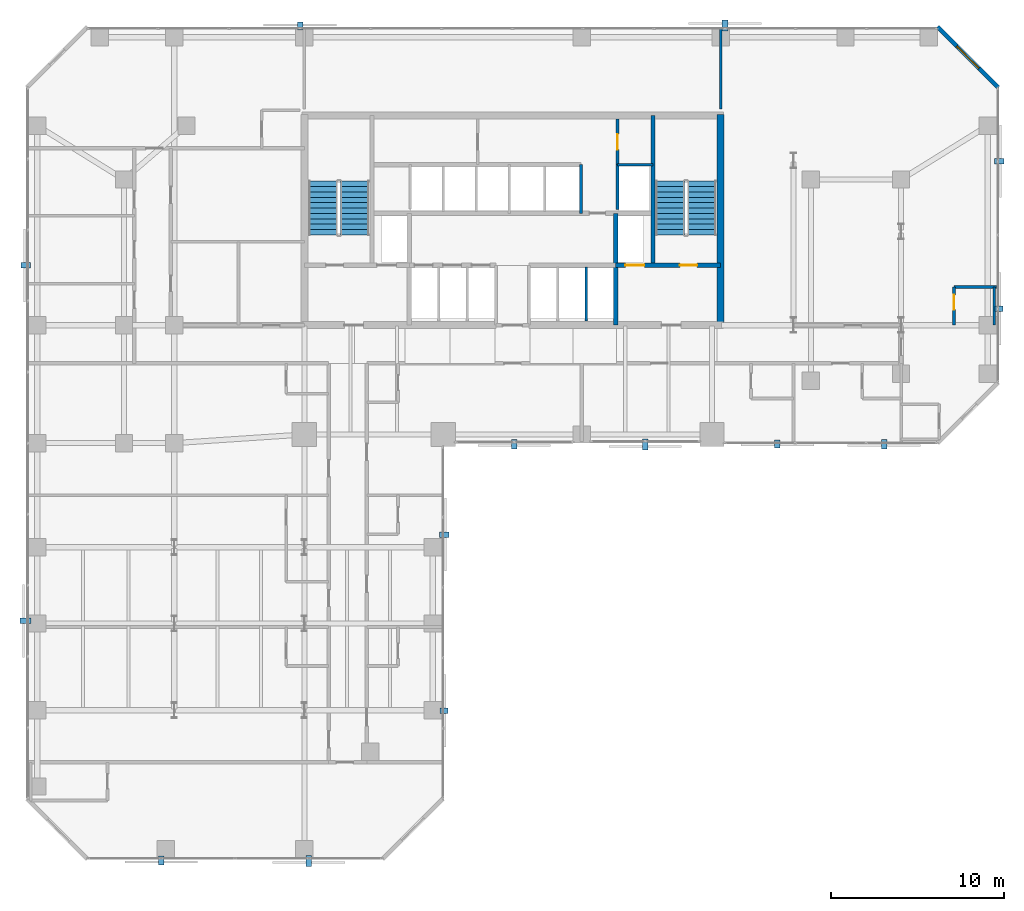
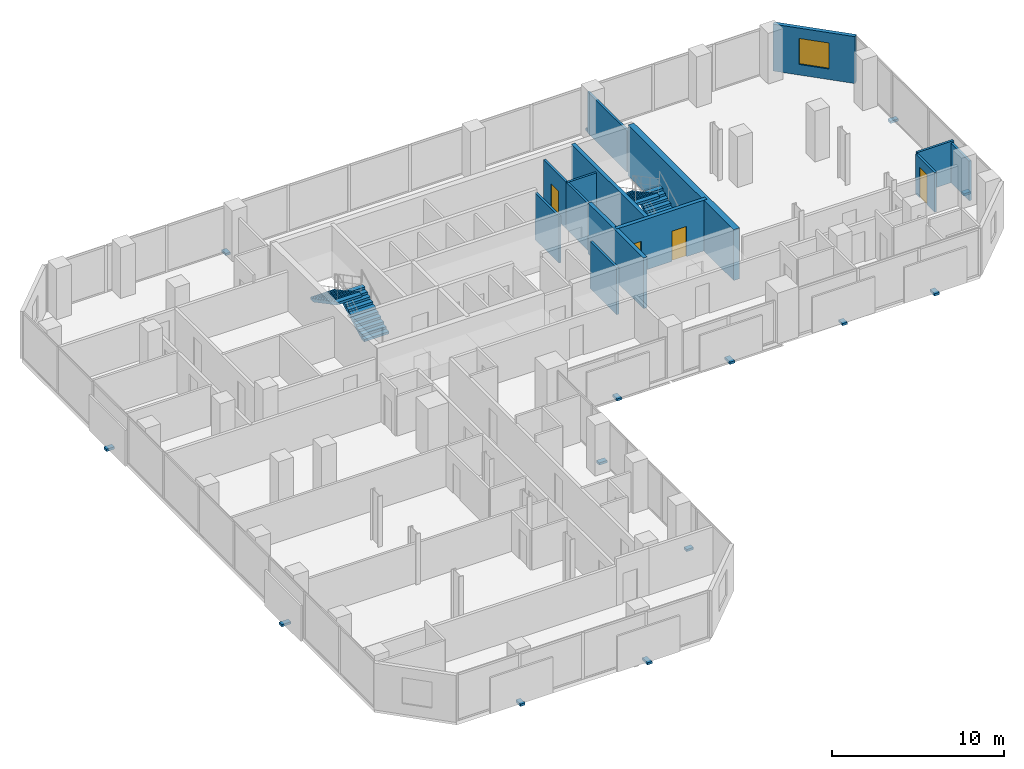
# One storey, part 29 of 31: 14 discrete accessories, 14 walls, 4 doors, 4 stair flights, 1 window, 5 openings, 2 elements without a shape of their own.
"""IFC4 building model written with IfcOpenShell, lengths in metres."""

from ifc_helpers import new_model, si_unit, direction, frame, frame_2d, origin, origin_2d, place, context, subcontext, project, spatial, polyline, rectangle, outline, extrude, material, layer, layer_set, type_object, element, fill, aggregate, save


model = new_model("IFC4")

# Units and contexts
model_context = context("Model", 3, precision=1e-05, world=origin(), true_north=direction((0.0, 1.0)))
body_context = subcontext(model_context, "Body", "Model", "MODEL_VIEW")
ifc_project = project(units=[si_unit("LENGTHUNIT", "METRE"), si_unit("AREAUNIT", "SQUARE_METRE"), si_unit("VOLUMEUNIT", "CUBIC_METRE"), si_unit("PLANEANGLEUNIT", "RADIAN"), si_unit("MASSUNIT", "GRAM", prefix="KILO")], contexts=[model_context])

# Site, building, storey
site_placement = place(None, origin())
site = spatial("IfcSite", under=ifc_project, at=site_placement, CompositionType="ELEMENT")
building_placement = place(site_placement, origin())
building = spatial("IfcBuilding", under=site, at=building_placement, Name="Catumbela Crestline Tower", CompositionType="ELEMENT")
storey_placement = place(building_placement, frame((0.0, 0.0, 36.6)))
storey = spatial("IfcBuildingStorey", under=building, at=storey_placement, Name="L08", CompositionType="ELEMENT", Elevation=36.6)

# Walls
ifc_material_1 = material(Name="Concrete C50/60", Category="concrete")
ifc_layer_1 = layer(ifc_material_1, 0.25, Name="Concrete C50/60")
ifc_layer_set_1 = layer_set([ifc_layer_1], Name="Concrete C50/60")
wall_type_1 = type_object("IfcWallType", Name="CW-250D", PredefinedType="SHEAR", material=ifc_layer_set_1)
wall_1_placement = place(storey_placement, frame((36.1, 34.25, 0.0), z_axis=(0.0, 0.0, 1.0), x_axis=(0.0, 1.0, 0.0)))
element("IfcWall", 1, at=wall_1_placement, inside=storey, type_object=wall_type_1, Name="L08 Structural Core Shear Wall EWEB", PredefinedType="SHEAR", context=body_context, shape_type="SweptSolid", body=[
    extrude(rectangle(XDim=8.65, YDim=0.25, at=frame_2d((4.325, 0.0))), origin(), (0.0, 0.0, 1.0), 3.6),
])
wall_2_placement = place(storey_placement, frame((33.95, 30.8, 0.0), z_axis=(0.0, 0.0, 1.0), x_axis=(0.0, 1.0, 0.0)))
element("IfcWall", 2, at=wall_2_placement, inside=storey, type_object=wall_type_1, Name="L08 Structural Core Shear Wall FFE", PredefinedType="SHEAR", context=body_context, shape_type="SweptSolid", body=[
    extrude(rectangle(XDim=6.45, YDim=0.25, at=frame_2d((3.225, 0.0))), origin(), (0.0, 0.0, 1.0), 3.6),
])

# Wall, openings, doors
wall_3_placement = place(storey_placement, frame((33.95, 34.25, 0.0), z_axis=(0.0, 0.0, 1.0), x_axis=(1.0, 0.0, 0.0)))
wall_3 = element("IfcWall", 3, at=wall_3_placement, inside=storey, type_object=wall_type_1, Name="L08 Structural Core Shear Wall ST2S", PredefinedType="SHEAR", context=body_context, shape_type="SweptSolid", body=[
    extrude(rectangle(XDim=6.05, YDim=0.25, at=frame_2d((3.025, 0.0))), origin(), (0.0, 0.0, 1.0), 3.6),
])
opening_1_placement = place(wall_3_placement, frame((3.7, 0.0, 0.0)))
opening_1 = element("IfcOpeningElement", 4, at=opening_1_placement, cuts=wall_3, Name="Opening DF9-100", PredefinedType="OPENING", context=body_context, shape_type="SweptSolid", body=[
    extrude(rectangle(XDim=1.0, YDim=2.15, at=frame_2d((0.5, 1.075))), frame((0.0, 0.135, 0.0), z_axis=(0.0, -1.0, 0.0), x_axis=(1.0, 0.0, 0.0)), (0.0, 0.0, 1.0), 0.27),
])
opening_2_placement = place(wall_3_placement, frame((0.55, 0.0, 0.0)))
opening_2 = element("IfcOpeningElement", 5, at=opening_2_placement, cuts=wall_3, Name="Opening LD-110", PredefinedType="OPENING", context=body_context, shape_type="SweptSolid", body=[
    extrude(rectangle(XDim=1.1, YDim=2.15, at=frame_2d((0.55, 1.075))), frame((0.0, 0.135, 0.0), z_axis=(0.0, -1.0, 0.0), x_axis=(1.0, 0.0, 0.0)), (0.0, 0.0, 1.0), 0.27),
])
ifc_material_2 = material(Name="Stainless steel EN 1.4401", Category="steel")
door_type_1 = type_object("IfcDoorType", Name="DF9-100", OperationType="NOTDEFINED", PredefinedType="DOOR", material=ifc_material_2)
door_1_placement = place(opening_1_placement, origin())
door_1 = element("IfcDoor", 6, at=door_1_placement, inside=storey, type_object=door_type_1, Name="L08 Interior Door DR-L08-ST02", OperationType="SINGLE_SWING_RIGHT", OverallHeight=2.15, OverallWidth=1.0, PredefinedType="DOOR", context=body_context, shape_type="SweptSolid", body=[
    extrude(rectangle(XDim=1.0, YDim=2.15, at=frame_2d((0.5, 1.075))), frame((0.0, 0.025, 0.0), z_axis=(0.0, -1.0, 0.0), x_axis=(1.0, 0.0, 0.0)), (0.0, 0.0, 1.0), 0.05),
])
fill(opening_1, door_1)
door_type_2 = type_object("IfcDoorType", Name="LD-110", OperationType="NOTDEFINED", PredefinedType="DOOR", material=ifc_material_2)
door_2_placement = place(opening_2_placement, origin())
door_2 = element("IfcDoor", 7, at=door_2_placement, inside=storey, type_object=door_type_2, Name="L08 Lift Landing Sliding Door FL-02", OperationType="DOUBLE_DOOR_SLIDING", OverallHeight=2.15, OverallWidth=1.1, PredefinedType="DOOR", context=body_context, shape_type="SweptSolid", body=[
    extrude(rectangle(XDim=1.1, YDim=2.15, at=frame_2d((0.55, 1.075))), frame((0.0, 0.025, 0.0), z_axis=(0.0, -1.0, 0.0), x_axis=(1.0, 0.0, 0.0)), (0.0, 0.0, 1.0), 0.05),
])
fill(opening_2, door_2)

# Wall
ifc_material_3 = material(Name="Concrete C60/75", Category="concrete")
ifc_layer_2 = layer(ifc_material_3, 0.4, Name="Concrete C60/75")
ifc_layer_set_2 = layer_set([ifc_layer_2], Name="Concrete C60/75")
wall_type_2 = type_object("IfcWallType", Name="CW-400A", PredefinedType="SHEAR", material=ifc_layer_set_2)
wall_4_placement = place(storey_placement, frame((40.0, 30.65, 0.0), z_axis=(0.0, 0.0, 1.0), x_axis=(0.0, 1.0, 0.0)))
element("IfcWall", 8, at=wall_4_placement, inside=storey, type_object=wall_type_2, Name="L08 Structural Core Shear Wall E", PredefinedType="SHEAR", context=body_context, shape_type="SweptSolid", body=[
    extrude(rectangle(XDim=12.3, YDim=0.4, at=frame_2d((6.15, 0.0))), origin(), (0.0, 0.0, 1.0), 3.6),
])

# Wall, opening, window
ifc_material_4 = material(Name="Angolan grey-ochre granite", Category="masonry")
ifc_layer_3 = layer(ifc_material_4, 0.25, Name="Angolan grey-ochre granite")
ifc_layer_set_3 = layer_set([ifc_layer_3], Name="Angolan grey-ochre granite")
wall_type_3 = type_object("IfcWallType", Name="WE-250", PredefinedType="STANDARD", material=ifc_layer_set_3)
wall_5_placement = place(storey_placement, frame((56.0, 44.5, 0.0), z_axis=(0.0, 0.0, 1.0), x_axis=(-0.707106781187, 0.707106781187, 0.0)))
wall_5 = element("IfcWall", 9, at=wall_5_placement, inside=storey, type_object=wall_type_3, Name="L08 Granite Punched Window Wall 6-1", PredefinedType="STANDARD", context=body_context, shape_type="SweptSolid", body=[
    extrude(rectangle(XDim=4.9497, YDim=0.25, at=frame_2d((2.4748, 0.0))), origin(), (0.0, 0.0, 1.0), 3.33),
])
opening_3_placement = place(wall_5_placement, frame((1.5749, 0.0, 0.75)))
opening_3 = element("IfcOpeningElement", 10, at=opening_3_placement, cuts=wall_5, Name="Opening WN-01", PredefinedType="OPENING", context=body_context, shape_type="SweptSolid", body=[
    extrude(rectangle(XDim=1.8, YDim=1.85, at=frame_2d((0.9, 0.925))), frame((0.0, 0.135, 0.0), z_axis=(0.0, -1.0, 0.0), x_axis=(1.0, 0.0, 0.0)), (0.0, 0.0, 1.0), 0.27),
])
ifc_material_5 = material(Name="Low-E laminated solar-control double glazing", Category="glass")
window_type = type_object("IfcWindowType", Name="WF-1800", PartitioningType="SINGLE_PANEL", PredefinedType="WINDOW", material=ifc_material_5)
window_placement = place(opening_3_placement, origin())
window = element("IfcWindow", 11, at=window_placement, inside=storey, type_object=window_type, Name="L08 Facade Vision Window 65", OverallHeight=1.85, OverallWidth=1.8, PartitioningType="SINGLE_PANEL", PredefinedType="WINDOW", context=body_context, shape_type="SweptSolid", body=[
    extrude(rectangle(XDim=1.8, YDim=1.85, at=frame_2d((0.9, 0.925))), frame((0.0, 0.03, 0.0), z_axis=(0.0, -1.0, 0.0), x_axis=(1.0, 0.0, 0.0)), (0.0, 0.0, 1.0), 0.06),
])
fill(opening_3, window)

# Wall
ifc_material_6 = material(Name="Acoustic gypsum and mineral-wool partition")
ifc_layer_4 = layer(ifc_material_6, 0.15, Name="Acoustic gypsum and mineral-wool partition")
ifc_layer_set_4 = layer_set([ifc_layer_4], Name="Acoustic gypsum and mineral-wool partition")
wall_type_4 = type_object("IfcWallType", Name="WP-150", PredefinedType="PARTITIONING", material=ifc_layer_set_4)
wall_6_placement = place(storey_placement, frame((34.05, 40.05, 0.0), z_axis=(0.0, 0.0, 1.0), x_axis=(1.0, 0.0, 0.0)))
element("IfcWall", 12, at=wall_6_placement, inside=storey, type_object=wall_type_4, Name="L08 Interior Partition PW-L08-CR-ES", PredefinedType="PARTITIONING", context=body_context, shape_type="SweptSolid", body=[
    extrude(rectangle(XDim=2.05, YDim=0.15, at=frame_2d((1.025, 0.0))), origin(), (0.0, 0.0, 1.0), 3.33),
])

# Wall, opening, door
wall_7_placement = place(storey_placement, frame((34.05, 40.05, 0.0), z_axis=(0.0, 0.0, 1.0), x_axis=(0.0, 1.0, 0.0)))
wall_7 = element("IfcWall", 13, at=wall_7_placement, inside=storey, type_object=wall_type_4, Name="L08 Interior Partition PW-L08-CR-EW", PredefinedType="PARTITIONING", context=body_context, shape_type="SweptSolid", body=[
    extrude(rectangle(XDim=2.63, YDim=0.15, at=frame_2d((1.315, 0.0))), origin(), (0.0, 0.0, 1.0), 3.33),
])
opening_4_placement = place(wall_7_placement, frame((0.865, 0.0, 0.0)))
opening_4 = element("IfcOpeningElement", 14, at=opening_4_placement, cuts=wall_7, Name="Opening DF9-090", PredefinedType="OPENING", context=body_context, shape_type="SweptSolid", body=[
    extrude(rectangle(XDim=0.9, YDim=2.15, at=frame_2d((0.45, 1.075))), frame((0.0, 0.085, 0.0), z_axis=(0.0, -1.0, 0.0), x_axis=(1.0, 0.0, 0.0)), (0.0, 0.0, 1.0), 0.17),
])
door_type_3 = type_object("IfcDoorType", Name="DF9-090", OperationType="NOTDEFINED", PredefinedType="DOOR", material=ifc_material_2)
door_3_placement = place(opening_4_placement, origin())
door_3 = element("IfcDoor", 15, at=door_3_placement, inside=storey, type_object=door_type_3, Name="L08 Interior Door DR-L08-CREAST", OperationType="SINGLE_SWING_RIGHT", OverallHeight=2.15, OverallWidth=0.9, PredefinedType="DOOR", context=body_context, shape_type="SweptSolid", body=[
    extrude(rectangle(XDim=0.9, YDim=2.15, at=frame_2d((0.45, 1.075))), frame((0.0, 0.025, 0.0), z_axis=(0.0, -1.0, 0.0), x_axis=(1.0, 0.0, 0.0)), (0.0, 0.0, 1.0), 0.05),
])
fill(opening_4, door_3)

# Walls
wall_8_placement = place(storey_placement, frame((40.0, 43.27, 0.0), z_axis=(0.0, 0.0, 1.0), x_axis=(0.0, 1.0, 0.0)))
element("IfcWall", 16, at=wall_8_placement, inside=storey, type_object=wall_type_4, Name="L08 Interior Partition PW-L08-NCF-E", PredefinedType="PARTITIONING", context=body_context, shape_type="SweptSolid", body=[
    extrude(rectangle(XDim=4.63, YDim=0.15, at=frame_2d((2.315, 0.0))), origin(), (0.0, 0.0, 1.0), 2.93),
])
wall_9_placement = place(storey_placement, frame((53.45, 33.0, 0.0), z_axis=(0.0, 0.0, 1.0), x_axis=(1.0, 0.0, 0.0)))
element("IfcWall", 17, at=wall_9_placement, inside=storey, type_object=wall_type_4, Name="L08 Interior Partition PW-L08-NES-BHW", PredefinedType="PARTITIONING", context=body_context, shape_type="SweptSolid", body=[
    extrude(rectangle(XDim=2.45, YDim=0.15, at=frame_2d((1.225, 0.0))), origin(), (0.0, 0.0, 1.0), 2.93),
])

# Wall, opening, door
wall_10_placement = place(storey_placement, frame((53.45, 30.8, 0.0), z_axis=(0.0, 0.0, 1.0), x_axis=(0.0, 1.0, 0.0)))
wall_10 = element("IfcWall", 18, at=wall_10_placement, inside=storey, type_object=wall_type_4, Name="L08 Interior Partition PW-L08-NES-BWW", PredefinedType="PARTITIONING", context=body_context, shape_type="SweptSolid", body=[
    extrude(rectangle(XDim=2.2, YDim=0.15, at=frame_2d((1.1, 0.0))), origin(), (0.0, 0.0, 1.0), 2.82),
])
opening_5_placement = place(wall_10_placement, frame((0.8925, 0.0, 0.0)))
opening_5 = element("IfcOpeningElement", 19, at=opening_5_placement, cuts=wall_10, Name="Opening DI-085", PredefinedType="OPENING", context=body_context, shape_type="SweptSolid", body=[
    extrude(rectangle(XDim=0.85, YDim=2.15, at=frame_2d((0.425, 1.075))), frame((0.0, 0.085, 0.0), z_axis=(0.0, -1.0, 0.0), x_axis=(1.0, 0.0, 0.0)), (0.0, 0.0, 1.0), 0.17),
])
ifc_material_7 = material(Name="Aluminium alloy AW-6060-T66", Category="aluminium")
door_type_4 = type_object("IfcDoorType", Name="DI-085", OperationType="NOTDEFINED", PredefinedType="DOOR", material=ifc_material_7)
door_4_placement = place(opening_5_placement, origin())
door_4 = element("IfcDoor", 20, at=door_4_placement, inside=storey, type_object=door_type_4, Name="L08 Interior Door DR-L08-NES-BTH", OperationType="SINGLE_SWING_RIGHT", OverallHeight=2.15, OverallWidth=0.85, PredefinedType="DOOR", context=body_context, shape_type="SweptSolid", body=[
    extrude(rectangle(XDim=0.85, YDim=2.15, at=frame_2d((0.425, 1.075))), frame((0.0, 0.025, 0.0), z_axis=(0.0, -1.0, 0.0), x_axis=(1.0, 0.0, 0.0)), (0.0, 0.0, 1.0), 0.05),
])
fill(opening_5, door_4)

# Walls
wall_11_placement = place(storey_placement, frame((55.78, 33.0, 0.0), z_axis=(0.0, 0.0, 1.0), x_axis=(0.0, -1.0, 0.0)))
element("IfcWall", 21, at=wall_11_placement, inside=storey, type_object=wall_type_4, Name="L08 Interior Partition PW-L08-NES-BCL-2", PredefinedType="PARTITIONING", context=body_context, shape_type="SweptSolid", body=[
    extrude(rectangle(XDim=2.2, YDim=0.15, at=frame_2d((1.1, 0.0))), origin(), (0.0, 0.0, 1.0), 2.82),
])
ifc_layer_5 = layer(ifc_material_6, 0.15, Name="Acoustic gypsum and mineral-wool partition")
ifc_layer_set_5 = layer_set([ifc_layer_5], Name="Acoustic gypsum and mineral-wool partition")
wall_type_5 = type_object("IfcWallType", Name="WS-150", PredefinedType="PLUMBINGWALL", material=ifc_layer_set_5)
wall_12_placement = place(storey_placement, frame((32.25, 31.05, 0.0), z_axis=(0.0, 0.0, 1.0), x_axis=(0.0, 1.0, 0.0)))
element("IfcWall", 22, at=wall_12_placement, inside=storey, type_object=wall_type_5, Name="L08 Interior Partition PW-L08-SHM2", PredefinedType="PLUMBINGWALL", context=body_context, shape_type="SweptSolid", body=[
    extrude(rectangle(XDim=3.1, YDim=0.15, at=frame_2d((1.55, 0.0))), origin(), (0.0, 0.0, 1.0), 3.33),
])
wall_13_placement = place(storey_placement, frame((31.95, 37.25, 0.0), z_axis=(0.0, 0.0, 1.0), x_axis=(0.0, 1.0, 0.0)))
element("IfcWall", 23, at=wall_13_placement, inside=storey, type_object=wall_type_5, Name="L08 Interior Partition PW-L08-SHEX2E", PredefinedType="PLUMBINGWALL", context=body_context, shape_type="SweptSolid", body=[
    extrude(rectangle(XDim=2.8, YDim=0.15, at=frame_2d((1.4, 0.0))), origin(), (0.0, 0.0, 1.0), 3.33),
])
wall_14_placement = place(storey_placement, frame((34.05, 37.4734, 0.0), z_axis=(0.0, 0.0, 1.0), x_axis=(0.0, 1.0, 0.0)))
element("IfcWall", 24, at=wall_14_placement, inside=storey, type_object=wall_type_5, Name="L08 Interior Partition PW-L08-RISW", PredefinedType="PLUMBINGWALL", context=body_context, shape_type="SweptSolid", body=[
    extrude(rectangle(XDim=2.5766, YDim=0.15, at=frame_2d((1.2883, 0.0))), origin(), (0.0, 0.0, 1.0), 3.33),
])

# Stair, stair flights
ifc_material_8 = material(Name="Concrete C45/55", Category="concrete")
stair_type = type_object("IfcStairType", Name="ST-DLG", PredefinedType="HALF_TURN_STAIR", material=ifc_material_8)
stair_1_placement = place(storey_placement, origin())
stair_1 = element("IfcStair", 25, at=stair_1_placement, inside=storey, type_object=stair_type, Name="L08 West Core Pressurised Exit Stair ST-01", PredefinedType="HALF_TURN_STAIR")
stair_flight_type = type_object("IfcStairFlightType", Name="SF-1636", PredefinedType="STRAIGHT", material=ifc_material_8)
stair_flight_1_placement = place(storey_placement, frame((18.92, 36.0, 0.0), z_axis=(0.0, 0.0, 1.0), x_axis=(0.0, 1.0, 0.0)))
stair_flight_1 = element("IfcStairFlight", 26, at=stair_flight_1_placement, type_object=stair_flight_type, Name="ST-01 flight 1", NumberOfRisers=11, NumberOfTreads=10, PredefinedType="STRAIGHT", RiserHeight=0.163636364, TreadLength=0.31, context=body_context, shape_type="SweptSolid", body=[
    extrude(outline(polyline([(0.0, 0.0), (0.0, 0.1636), (0.31, 0.1636), (0.31, 0.3273), (0.62, 0.3273), (0.62, 0.4909), (0.93, 0.4909), (0.93, 0.6545), (1.24, 0.6545), (1.24, 0.8182), (1.55, 0.8182), (1.55, 0.9818), (1.86, 0.9818), (1.86, 1.1455), (2.17, 1.1455), (2.17, 1.3091), (2.48, 1.3091), (2.48, 1.4727), (2.79, 1.4727), (2.79, 1.6364), (3.1, 1.6364), (3.1, 1.8), (3.1, 1.4554), (0.3427, 0.0), (0.0, 0.0)])), frame((0.0, 0.83, 0.0), z_axis=(0.0, -1.0, 0.0), x_axis=(1.0, 0.0, 0.0)), (0.0, 0.0, 1.0), 1.66),
])
stair_flight_2_placement = place(storey_placement, frame((17.08, 39.1, 1.8), z_axis=(0.0, 0.0, 1.0), x_axis=(0.0, -1.0, 0.0)))
stair_flight_2 = element("IfcStairFlight", 27, at=stair_flight_2_placement, type_object=stair_flight_type, Name="ST-01 flight 2", NumberOfRisers=11, NumberOfTreads=10, PredefinedType="STRAIGHT", RiserHeight=0.163636364, TreadLength=0.31, context=body_context, shape_type="SweptSolid", body=[
    extrude(outline(polyline([(0.0, 0.0), (0.0, 0.1636), (0.31, 0.1636), (0.31, 0.3273), (0.62, 0.3273), (0.62, 0.4909), (0.93, 0.4909), (0.93, 0.6545), (1.24, 0.6545), (1.24, 0.8182), (1.55, 0.8182), (1.55, 0.9818), (1.86, 0.9818), (1.86, 1.1455), (2.17, 1.1455), (2.17, 1.3091), (2.48, 1.3091), (2.48, 1.4727), (2.79, 1.4727), (2.79, 1.6364), (3.1, 1.6364), (3.1, 1.8), (3.1, 1.4554), (0.3427, 0.0), (0.0, 0.0)])), frame((0.0, 0.83, 0.0), z_axis=(0.0, -1.0, 0.0), x_axis=(1.0, 0.0, 0.0)), (0.0, 0.0, 1.0), 1.66),
])
aggregate(stair_1, [stair_flight_1, stair_flight_2])

stair_2_placement = place(storey_placement, origin())
stair_2 = element("IfcStair", 28, at=stair_2_placement, inside=storey, type_object=stair_type, Name="L08 East Core Pressurised Exit Stair ST-02", PredefinedType="HALF_TURN_STAIR")
stair_flight_3_placement = place(storey_placement, frame((38.92, 36.0, 0.0), z_axis=(0.0, 0.0, 1.0), x_axis=(0.0, 1.0, 0.0)))
stair_flight_3 = element("IfcStairFlight", 29, at=stair_flight_3_placement, type_object=stair_flight_type, Name="ST-02 flight 1", NumberOfRisers=11, NumberOfTreads=10, PredefinedType="STRAIGHT", RiserHeight=0.163636364, TreadLength=0.31, context=body_context, shape_type="SweptSolid", body=[
    extrude(outline(polyline([(0.0, 0.0), (0.0, 0.1636), (0.31, 0.1636), (0.31, 0.3273), (0.62, 0.3273), (0.62, 0.4909), (0.93, 0.4909), (0.93, 0.6545), (1.24, 0.6545), (1.24, 0.8182), (1.55, 0.8182), (1.55, 0.9818), (1.86, 0.9818), (1.86, 1.1455), (2.17, 1.1455), (2.17, 1.3091), (2.48, 1.3091), (2.48, 1.4727), (2.79, 1.4727), (2.79, 1.6364), (3.1, 1.6364), (3.1, 1.8), (3.1, 1.4554), (0.3427, 0.0), (0.0, 0.0)])), frame((0.0, 0.83, 0.0), z_axis=(0.0, -1.0, 0.0), x_axis=(1.0, 0.0, 0.0)), (0.0, 0.0, 1.0), 1.66),
])
stair_flight_4_placement = place(storey_placement, frame((37.08, 39.1, 1.8), z_axis=(0.0, 0.0, 1.0), x_axis=(0.0, -1.0, 0.0)))
stair_flight_4 = element("IfcStairFlight", 30, at=stair_flight_4_placement, type_object=stair_flight_type, Name="ST-02 flight 2", NumberOfRisers=11, NumberOfTreads=10, PredefinedType="STRAIGHT", RiserHeight=0.163636364, TreadLength=0.31, context=body_context, shape_type="SweptSolid", body=[
    extrude(outline(polyline([(0.0, 0.0), (0.0, 0.1636), (0.31, 0.1636), (0.31, 0.3273), (0.62, 0.3273), (0.62, 0.4909), (0.93, 0.4909), (0.93, 0.6545), (1.24, 0.6545), (1.24, 0.8182), (1.55, 0.8182), (1.55, 0.9818), (1.86, 0.9818), (1.86, 1.1455), (2.17, 1.1455), (2.17, 1.3091), (2.48, 1.3091), (2.48, 1.4727), (2.79, 1.4727), (2.79, 1.6364), (3.1, 1.6364), (3.1, 1.8), (3.1, 1.4554), (0.3427, 0.0), (0.0, 0.0)])), frame((0.0, 0.83, 0.0), z_axis=(0.0, -1.0, 0.0), x_axis=(1.0, 0.0, 0.0)), (0.0, 0.0, 1.0), 1.66),
])
aggregate(stair_2, [stair_flight_3, stair_flight_4])

# Discrete accessories
discrete_accessory_type = type_object("IfcDiscreteAccessoryType", Name="BK-SS1", PredefinedType="BRACKET", material=ifc_material_2)
discrete_accessory_1_placement = place(storey_placement, frame((7.75, -0.065, -0.18), z_axis=(0.0, 0.0, 1.0), x_axis=(1.0, 0.0, 0.0)))
element("IfcDiscreteAccessory", 31, at=discrete_accessory_1_placement, inside=storey, type_object=discrete_accessory_type, Name="L08 Solar Screen Stainless Bracket 43", PredefinedType="BRACKET", context=body_context, shape_type="SweptSolid", body=[
    extrude(rectangle(XDim=0.32, YDim=0.54, at=origin_2d()), origin(), (0.0, 0.0, 1.0), 0.16),
])
discrete_accessory_2_placement = place(storey_placement, frame((16.25, -0.085, -0.18), z_axis=(0.0, 0.0, 1.0), x_axis=(1.0, 0.0, 0.0)))
element("IfcDiscreteAccessory", 32, at=discrete_accessory_2_placement, inside=storey, type_object=discrete_accessory_type, Name="L08 Solar Screen Stainless Bracket 44", PredefinedType="BRACKET", context=body_context, shape_type="SweptSolid", body=[
    extrude(rectangle(XDim=0.32, YDim=0.62, at=origin_2d()), origin(), (0.0, 0.0, 1.0), 0.16),
])
discrete_accessory_3_placement = place(storey_placement, frame((24.045, 8.575, -0.18), z_axis=(0.0, 0.0, 1.0), x_axis=(0.0, 1.0, 0.0)))
element("IfcDiscreteAccessory", 33, at=discrete_accessory_3_placement, inside=storey, type_object=discrete_accessory_type, Name="L08 Solar Screen Stainless Bracket 45", PredefinedType="BRACKET", context=body_context, shape_type="SweptSolid", body=[
    extrude(rectangle(XDim=0.32, YDim=0.46, at=origin_2d()), origin(), (0.0, 0.0, 1.0), 0.16),
])
for number, where, z_axis, x_axis, name in (
    (34, (24.065, 18.725, -0.18), (0.0, 0.0, 1.0), (0.0, 1.0, 0.0), "L08 Solar Screen Stainless Bracket 46"),
    (35, (28.1, 23.935, -0.18), (0.0, 0.0, 1.0), (1.0, 0.0, 0.0), "L08 Solar Screen Stainless Bracket 47"),
):
    element("IfcDiscreteAccessory", number, at=place(storey_placement, frame(where, z_axis=z_axis, x_axis=x_axis)), inside=storey, type_object=discrete_accessory_type, Name=name, PredefinedType="BRACKET", context=body_context, shape_type="SweptSolid", body=[
        extrude(rectangle(XDim=0.32, YDim=0.54, at=origin_2d()), origin(), (0.0, 0.0, 1.0), 0.16),
    ])
discrete_accessory_4_placement = place(storey_placement, frame((35.65, 23.915, -0.18), z_axis=(0.0, 0.0, 1.0), x_axis=(1.0, 0.0, 0.0)))
element("IfcDiscreteAccessory", 36, at=discrete_accessory_4_placement, inside=storey, type_object=discrete_accessory_type, Name="L08 Solar Screen Stainless Bracket 48", PredefinedType="BRACKET", context=body_context, shape_type="SweptSolid", body=[
    extrude(rectangle(XDim=0.32, YDim=0.62, at=origin_2d()), origin(), (0.0, 0.0, 1.0), 0.16),
])
discrete_accessory_5_placement = place(storey_placement, frame((43.275, 23.955, -0.18), z_axis=(0.0, 0.0, 1.0), x_axis=(1.0, 0.0, 0.0)))
element("IfcDiscreteAccessory", 37, at=discrete_accessory_5_placement, inside=storey, type_object=discrete_accessory_type, Name="L08 Solar Screen Stainless Bracket 49", PredefinedType="BRACKET", context=body_context, shape_type="SweptSolid", body=[
    extrude(rectangle(XDim=0.32, YDim=0.46, at=origin_2d()), origin(), (0.0, 0.0, 1.0), 0.16),
])
discrete_accessory_6_placement = place(storey_placement, frame((49.425, 23.935, -0.18), z_axis=(0.0, 0.0, 1.0), x_axis=(1.0, 0.0, 0.0)))
element("IfcDiscreteAccessory", 38, at=discrete_accessory_6_placement, inside=storey, type_object=discrete_accessory_type, Name="L08 Solar Screen Stainless Bracket 50", PredefinedType="BRACKET", context=body_context, shape_type="SweptSolid", body=[
    extrude(rectangle(XDim=0.32, YDim=0.54, at=origin_2d()), origin(), (0.0, 0.0, 1.0), 0.16),
])
discrete_accessory_7_placement = place(storey_placement, frame((56.045, 31.75, -0.18), z_axis=(0.0, 0.0, 1.0), x_axis=(0.0, 1.0, 0.0)))
element("IfcDiscreteAccessory", 39, at=discrete_accessory_7_placement, inside=storey, type_object=discrete_accessory_type, Name="L08 Solar Screen Stainless Bracket 51", PredefinedType="BRACKET", context=body_context, shape_type="SweptSolid", body=[
    extrude(rectangle(XDim=0.32, YDim=0.46, at=origin_2d()), origin(), (0.0, 0.0, 1.0), 0.16),
])
discrete_accessory_8_placement = place(storey_placement, frame((56.065, 40.25, -0.18), z_axis=(0.0, 0.0, 1.0), x_axis=(0.0, 1.0, 0.0)))
element("IfcDiscreteAccessory", 40, at=discrete_accessory_8_placement, inside=storey, type_object=discrete_accessory_type, Name="L08 Solar Screen Stainless Bracket 52", PredefinedType="BRACKET", context=body_context, shape_type="SweptSolid", body=[
    extrude(rectangle(XDim=0.32, YDim=0.54, at=origin_2d()), origin(), (0.0, 0.0, 1.0), 0.16),
])
discrete_accessory_9_placement = place(storey_placement, frame((40.25, 48.085, -0.18), z_axis=(0.0, 0.0, 1.0), x_axis=(-1.0, 0.0, 0.0)))
element("IfcDiscreteAccessory", 41, at=discrete_accessory_9_placement, inside=storey, type_object=discrete_accessory_type, Name="L08 Solar Screen Stainless Bracket 53", PredefinedType="BRACKET", context=body_context, shape_type="SweptSolid", body=[
    extrude(rectangle(XDim=0.32, YDim=0.62, at=origin_2d()), origin(), (0.0, 0.0, 1.0), 0.16),
])
discrete_accessory_10_placement = place(storey_placement, frame((15.75, 48.045, -0.18), z_axis=(0.0, 0.0, 1.0), x_axis=(-1.0, 0.0, 0.0)))
element("IfcDiscreteAccessory", 42, at=discrete_accessory_10_placement, inside=storey, type_object=discrete_accessory_type, Name="L08 Solar Screen Stainless Bracket 54", PredefinedType="BRACKET", context=body_context, shape_type="SweptSolid", body=[
    extrude(rectangle(XDim=0.32, YDim=0.46, at=origin_2d()), origin(), (0.0, 0.0, 1.0), 0.16),
])
discrete_accessory_11_placement = place(storey_placement, frame((-0.065, 34.25, -0.18), z_axis=(0.0, 0.0, 1.0), x_axis=(0.0, -1.0, 0.0)))
element("IfcDiscreteAccessory", 43, at=discrete_accessory_11_placement, inside=storey, type_object=discrete_accessory_type, Name="L08 Solar Screen Stainless Bracket 55", PredefinedType="BRACKET", context=body_context, shape_type="SweptSolid", body=[
    extrude(rectangle(XDim=0.32, YDim=0.54, at=origin_2d()), origin(), (0.0, 0.0, 1.0), 0.16),
])
discrete_accessory_12_placement = place(storey_placement, frame((-0.085, 13.75, -0.18), z_axis=(0.0, 0.0, 1.0), x_axis=(0.0, -1.0, 0.0)))
element("IfcDiscreteAccessory", 44, at=discrete_accessory_12_placement, inside=storey, type_object=discrete_accessory_type, Name="L08 Solar Screen Stainless Bracket 56", PredefinedType="BRACKET", context=body_context, shape_type="SweptSolid", body=[
    extrude(rectangle(XDim=0.32, YDim=0.62, at=origin_2d()), origin(), (0.0, 0.0, 1.0), 0.16),
])

save(model, "model.ifc")
